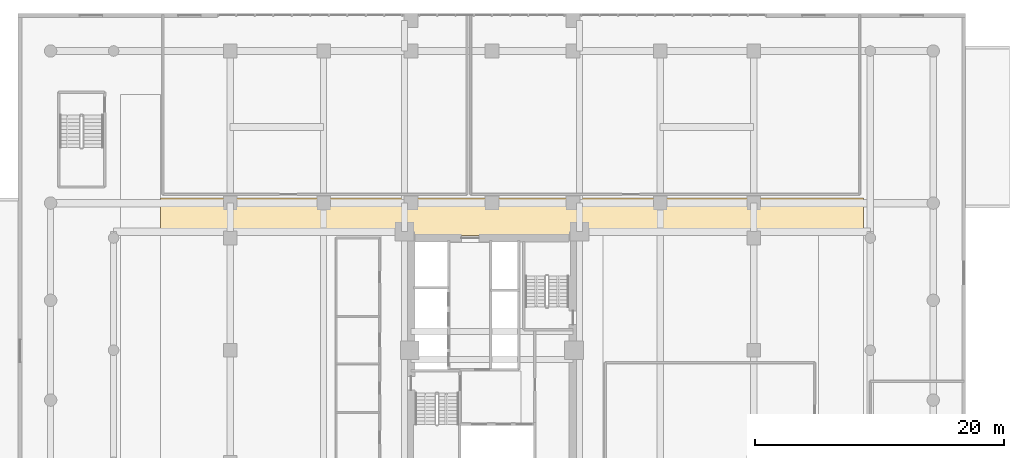
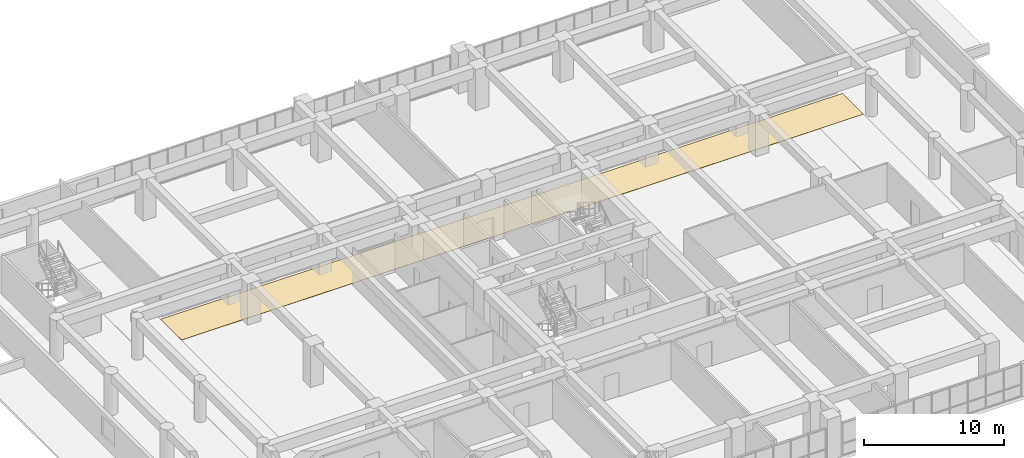
# One storey, part 26 of 27: 1 covering.
"""IFC4 building model written with IfcOpenShell, lengths in metres."""

from ifc_helpers import new_model, si_unit, direction, frame, origin, place, context, subcontext, project, spatial, polyline, outline, extrude, material, layer, layer_set, type_object, element, save


model = new_model("IFC4")

# Units and contexts
model_context = context("Model", 3, precision=1e-05, world=origin(), true_north=direction((0.0, 1.0)))
body_context = subcontext(model_context, "Body", "Model", "MODEL_VIEW")
ifc_project = project(units=[si_unit("LENGTHUNIT", "METRE"), si_unit("AREAUNIT", "SQUARE_METRE"), si_unit("VOLUMEUNIT", "CUBIC_METRE"), si_unit("PLANEANGLEUNIT", "RADIAN"), si_unit("MASSUNIT", "GRAM", prefix="KILO")], contexts=[model_context])

# Site, building, storey
site_placement = place(None, origin())
site = spatial("IfcSite", under=ifc_project, at=site_placement, CompositionType="ELEMENT")
building_placement = place(site_placement, origin())
building = spatial("IfcBuilding", under=site, at=building_placement, Name="Saelheon Loggia Tower", CompositionType="ELEMENT")
storey_placement = place(building_placement, frame((0.0, 0.0, 4.199951171875)))
storey = spatial("IfcBuildingStorey", under=building, at=storey_placement, Name="L01", CompositionType="ELEMENT", Elevation=4.199951171875)

# Covering
ifc_material = material(Name="Vitrified Porcelain Floor Tile", Category="ceramic")
ifc_layer = layer(ifc_material, 0.02001953125)
ifc_layer_set = layer_set([ifc_layer], Name="Vitrified Porcelain Floor Tile")
covering_type = type_object("IfcCoveringType", Name="Cov_Floor_Porcelain", PredefinedType="FLOORING", material=ifc_layer_set)
covering_placement = place(storey_placement, origin())
element("IfcCovering", 1, at=covering_placement, inside=storey, type_object=covering_type, Name="L01 Corridor Porcelain Flooring", PredefinedType="FLOORING", context=body_context, shape_type="SweptSolid", body=[
    extrude(outline(polyline([(11.419921875, 36.199951171875), (67.800048828125, 36.199951171875), (67.800048828125, 39.199951171875), (11.419921875, 39.199951171875), (11.419921875, 36.199951171875)])), origin(), (0.0, 0.0, 1.0), 0.02001953125),
])

save(model, "model.ifc")
